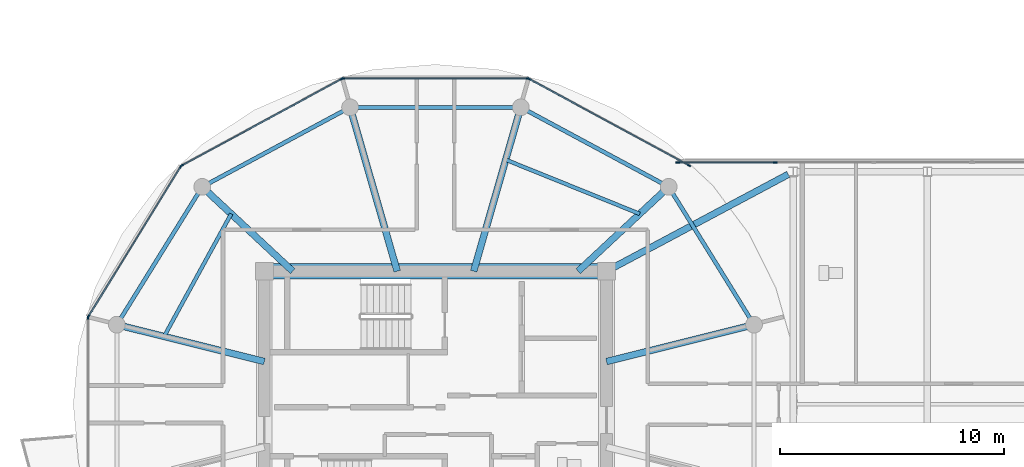
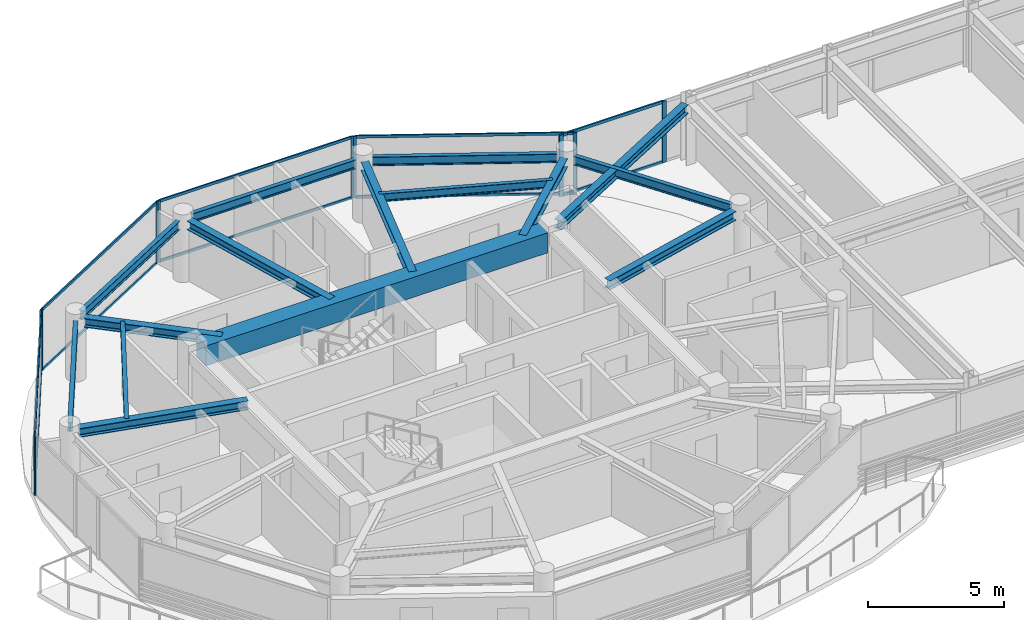
# One storey, part 5 of 24: 21 members, 15 beams, 6 elements without a shape of their own.
"""IFC4 building model written with IfcOpenShell, lengths in metres."""

from ifc_helpers import new_model, si_unit, direction, frame, origin, origin_2d, place, context, subcontext, project, spatial, rectangle, i_section, extrude, source, transform, mapped, material, layer, layer_set, material_profile, profile_set, type_object, type_shapes, element, aggregate, save


model = new_model("IFC4")

# Units and contexts
model_context = context("Model", 3, precision=1e-05, world=origin(), true_north=direction((0.0, 1.0)))
body_context = subcontext(model_context, "Body", "Model", "MODEL_VIEW")
ifc_project = project(units=[si_unit("LENGTHUNIT", "METRE"), si_unit("AREAUNIT", "SQUARE_METRE"), si_unit("VOLUMEUNIT", "CUBIC_METRE"), si_unit("PLANEANGLEUNIT", "RADIAN"), si_unit("MASSUNIT", "GRAM", prefix="KILO")], contexts=[model_context])

# Site, building, storey
site_placement = place(None, origin())
site = spatial("IfcSite", under=ifc_project, at=site_placement, CompositionType="ELEMENT")
building_placement = place(site_placement, origin())
building = spatial("IfcBuilding", under=site, at=building_placement, Name="Norrkilde Senior Care Towers", CompositionType="ELEMENT")
storey_placement = place(building_placement, frame((0.0, 0.0, 226.10009765625)))
storey = spatial("IfcBuildingStorey", under=building, at=storey_placement, Name="L70", CompositionType="ELEMENT", Elevation=226.10009765625)

# Beams
ifc_material_1 = material(Name="Concrete C60/75", Category="concrete")
ifc_material_profile_1 = material_profile(ifc_material_1, rectangle(XDim=0.699951171875, YDim=0.89990234375, at=origin_2d()), Name="RC BM 700x900")
ifc_profile_set_1 = profile_set([ifc_material_profile_1], Name="Concrete C60/75")
beam_type_1 = type_object("IfcBeamType", Name="Core Coupling Girder 700x900", PredefinedType="USERDEFINED", material=ifc_profile_set_1)
shared_shape_1 = source(origin(), body_context, "Body", "SweptSolid", [
    extrude(rectangle(XDim=0.699951171875, YDim=0.89990234375, at=origin_2d()), origin(), (0.0, 0.0, 1.0), 14.5400390625),
])
type_shapes(beam_type_1, [shared_shape_1])
beam_1_placement = place(storey_placement, frame((-35.27001953125, 5.949951171875, 2.309814453125), z_axis=(1.0, 0.0, 0.0), x_axis=(0.0, 1.0, 0.0)))
element("IfcBeam", 1, at=beam_1_placement, inside=storey, type_object=beam_type_1, Name="L70 Core W N Coupling Girder", ObjectType="GIRDER", PredefinedType="USERDEFINED", context=body_context, shape_type="MappedRepresentation", body=[
    mapped(shared_shape_1, transform((0.0, 0.0, 0.0), x_axis=(1.0, 0.0, 0.0), y_axis=(0.0, 1.0, 0.0), z_axis=(0.0, 0.0, 1.0), scale=1.0)),
])
ifc_material_2 = material(Name="Steel S355", Category="steel")
ifc_material_profile_2 = material_profile(ifc_material_2, i_section(OverallWidth=0.179931640625, OverallDepth=0.39990234375, WebThickness=0.008544921875, FlangeThickness=0.013427734375, FilletRadius=0.02099609375, at=origin_2d()), Name="IPE 400")
ifc_profile_set_2 = profile_set([ifc_material_profile_2], Name="Steel S355")
beam_type_2 = type_object("IfcBeamType", Name="Perimeter Ring Spandrel Z4 IPE400", PredefinedType="SPANDREL", material=ifc_profile_set_2)
shared_shape_2 = source(origin(), body_context, "Body", "SweptSolid", [
    extrude(i_section(OverallWidth=0.179931640625, OverallDepth=0.39990234375, WebThickness=0.008544921875, FlangeThickness=0.013427734375, FilletRadius=0.02099609375, at=origin_2d()), origin(), (0.0, 0.0, 1.0), 6.58056640625),
])
for number, where, z_axis, x_axis, name in (
    (2, (-13.928955078125, 3.843505859375, 2.559814453125), (-0.526529583789, 0.850156807533, 0.0), (-0.850156807533, -0.526529583789, 0.0), "L70 Drum W Perimeter Spandrel 01"),
    (3, (-38.606201171875, 9.43798828125, 2.559814453125), (-0.526529583789, -0.850156807533, 0.0), (0.850156807533, -0.526529583789, 0.0), "L70 Drum W Perimeter Spandrel 05"),
):
    element("IfcBeam", number, at=place(storey_placement, frame(where, z_axis=z_axis, x_axis=x_axis)), inside=storey, type_object=beam_type_2, Name=name, PredefinedType="SPANDREL", context=body_context, shape_type="MappedRepresentation", body=[
        mapped(shared_shape_2, transform((0.0, 0.0, 0.0), x_axis=(1.0, 0.0, 0.0), y_axis=(0.0, 1.0, 0.0), z_axis=(0.0, 0.0, 1.0), scale=1.0)),
    ])
ifc_material_profile_3 = material_profile(ifc_material_2, i_section(OverallWidth=0.300048828125, OverallDepth=0.39990234375, WebThickness=0.013427734375, FlangeThickness=0.02392578125, FilletRadius=0.027099609375, at=origin_2d()), Name="HEB 400")
ifc_profile_set_3 = profile_set([ifc_material_profile_3], Name="Steel S355")
beam_type_3 = type_object("IfcBeamType", Name="Radial Floor Beam Z4 HEB400", PredefinedType="BEAM", material=ifc_profile_set_3)
shared_shape_3 = source(origin(), body_context, "Body", "SweptSolid", [
    extrude(i_section(OverallWidth=0.300048828125, OverallDepth=0.39990234375, WebThickness=0.013427734375, FlangeThickness=0.02392578125, FilletRadius=0.027099609375, at=origin_2d()), origin(), (0.0, 0.0, 1.0), 6.465087890625),
])
for number, where, z_axis, x_axis, name in (
    (4, (-20.35009765625, 1.910888671875, 2.559814453125), (0.970195788563, 0.242322371758, 0.0), (-0.242322371758, 0.970195788563, 0.0), "L70 Drum W Radial Floor Beam 01"),
    (5, (-35.64990234375, 1.910888671875, 2.559814453125), (-0.970195788563, 0.242322371758, 0.0), (-0.242322371758, -0.970195788563, 0.0), "L70 Drum W Radial Floor Beam 06"),
):
    element("IfcBeam", number, at=place(storey_placement, frame(where, z_axis=z_axis, x_axis=x_axis)), inside=storey, type_object=beam_type_3, Name=name, PredefinedType="BEAM", context=body_context, shape_type="MappedRepresentation", body=[
        mapped(shared_shape_3, transform((0.0, 0.0, 0.0), x_axis=(1.0, 0.0, 0.0), y_axis=(0.0, 1.0, 0.0), z_axis=(0.0, 0.0, 1.0), scale=1.0)),
    ])
shared_shape_4 = source(origin(), body_context, "Body", "SweptSolid", [
    extrude(i_section(OverallWidth=0.179931640625, OverallDepth=0.39990234375, WebThickness=0.008544921875, FlangeThickness=0.013427734375, FilletRadius=0.02099609375, at=origin_2d()), origin(), (0.0, 0.0, 1.0), 6.839111328125),
])
for number, where, z_axis, x_axis, name in (
    (6, (-17.865234375, 9.881591796875, 2.559814453125), (-0.880563930732, 0.473927382511, 0.0), (-0.473927382511, -0.880563930732, 0.0), "L70 Drum W Perimeter Spandrel 02"),
    (7, (-32.112548828125, 13.122802734375, 2.559814453125), (-0.880563930732, -0.473927382511, 0.0), (0.473927382511, -0.880563930732, 0.0), "L70 Drum W Perimeter Spandrel 04"),
):
    element("IfcBeam", number, at=place(storey_placement, frame(where, z_axis=z_axis, x_axis=x_axis)), inside=storey, type_object=beam_type_2, Name=name, PredefinedType="SPANDREL", context=body_context, shape_type="MappedRepresentation", body=[
        mapped(shared_shape_4, transform((0.0, 0.0, 0.0), x_axis=(1.0, 0.0, 0.0), y_axis=(0.0, 1.0, 0.0), z_axis=(0.0, 0.0, 1.0), scale=1.0)),
    ])
shared_shape_5 = source(origin(), body_context, "Body", "SweptSolid", [
    extrude(i_section(OverallWidth=0.300048828125, OverallDepth=0.39990234375, WebThickness=0.013427734375, FlangeThickness=0.02392578125, FilletRadius=0.027099609375, at=origin_2d()), origin(), (0.0, 0.0, 1.0), 5.197998046875),
])
for number, where, z_axis, x_axis, name in (
    (8, (-21.6171875, 5.949951171875, 2.559814453125), (0.731448749334, 0.681896419625, 0.0), (-0.681896419625, 0.731448749334, 0.0), "L70 Drum W Radial Floor Beam 02"),
    (9, (-34.3828125, 5.949951171875, 2.559814453125), (-0.731448749334, 0.681896419625, 0.0), (-0.681896419625, -0.731448749334, 0.0), "L70 Drum W Radial Floor Beam 05"),
):
    element("IfcBeam", number, at=place(storey_placement, frame(where, z_axis=z_axis, x_axis=x_axis)), inside=storey, type_object=beam_type_3, Name=name, PredefinedType="BEAM", context=body_context, shape_type="MappedRepresentation", body=[
        mapped(shared_shape_5, transform((0.0, 0.0, 0.0), x_axis=(1.0, 0.0, 0.0), y_axis=(0.0, 1.0, 0.0), z_axis=(0.0, 0.0, 1.0), scale=1.0)),
    ])
shared_shape_6 = source(origin(), body_context, "Body", "SweptSolid", [
    extrude(i_section(OverallWidth=0.179931640625, OverallDepth=0.39990234375, WebThickness=0.008544921875, FlangeThickness=0.013427734375, FilletRadius=0.02099609375, at=origin_2d()), origin(), (0.0, 0.0, 1.0), 6.96533203125),
])
type_shapes(beam_type_2, [shared_shape_2, shared_shape_4, shared_shape_6])
beam_2_placement = place(storey_placement, frame((-24.517333984375, 13.281494140625, 2.559814453125), z_axis=(-1.0, 0.0, 0.0), x_axis=(0.0, -1.0, 0.0)))
element("IfcBeam", 10, at=beam_2_placement, inside=storey, type_object=beam_type_2, Name="L70 Drum W Perimeter Spandrel 03", PredefinedType="SPANDREL", context=body_context, shape_type="MappedRepresentation", body=[
    mapped(shared_shape_6, transform((0.0, 0.0, 0.0), x_axis=(1.0, 0.0, 0.0), y_axis=(0.0, 1.0, 0.0), z_axis=(0.0, 0.0, 1.0), scale=1.0)),
])
shared_shape_7 = source(origin(), body_context, "Body", "SweptSolid", [
    extrude(i_section(OverallWidth=0.300048828125, OverallDepth=0.39990234375, WebThickness=0.013427734375, FlangeThickness=0.02392578125, FilletRadius=0.027099609375, at=origin_2d()), origin(), (0.0, 0.0, 1.0), 7.29345703125),
])
for number, where, z_axis, x_axis, name in (
    (11, (-26.289794921875, 5.949951171875, 2.559814453125), (0.276263751906, 0.961081858836, 0.0), (-0.961081858836, 0.276263751906, 0.0), "L70 Drum W Radial Floor Beam 03"),
    (12, (-29.710205078125, 5.949951171875, 2.559814453125), (-0.276263751906, 0.961081858836, 0.0), (-0.961081858836, -0.276263751906, 0.0), "L70 Drum W Radial Floor Beam 04"),
):
    element("IfcBeam", number, at=place(storey_placement, frame(where, z_axis=z_axis, x_axis=x_axis)), inside=storey, type_object=beam_type_3, Name=name, PredefinedType="BEAM", context=body_context, shape_type="MappedRepresentation", body=[
        mapped(shared_shape_7, transform((0.0, 0.0, 0.0), x_axis=(1.0, 0.0, 0.0), y_axis=(0.0, 1.0, 0.0), z_axis=(0.0, 0.0, 1.0), scale=1.0)),
    ])
ifc_material_profile_4 = material_profile(ifc_material_2, i_section(OverallWidth=0.169921875, OverallDepth=0.360107421875, WebThickness=0.008056640625, FlangeThickness=0.0126953125, FilletRadius=0.01806640625, at=origin_2d()), Name="IPE 360")
ifc_profile_set_4 = profile_set([ifc_material_profile_4], Name="Steel S355")
beam_type_4 = type_object("IfcBeamType", Name="Secondary Floor Joist IPE360", PredefinedType="JOIST", material=ifc_profile_set_4)
shared_shape_8 = source(origin(), body_context, "Body", "SweptSolid", [
    extrude(i_section(OverallWidth=0.169921875, OverallDepth=0.360107421875, WebThickness=0.008056640625, FlangeThickness=0.0126953125, FilletRadius=0.01806640625, at=origin_2d()), origin(), (0.0, 0.0, 1.0), 6.461669921875),
])
beam_3_placement = place(storey_placement, frame((-18.865234375, 8.515380859375, 2.579833984375), z_axis=(-0.927225942298, 0.374502405772, 0.0), x_axis=(-0.374502405772, -0.927225942298, 0.0)))
element("IfcBeam", 13, at=beam_3_placement, inside=storey, type_object=beam_type_4, Name="L70 Drum W Secondary Floor Joist 1", PredefinedType="JOIST", context=body_context, shape_type="MappedRepresentation", body=[
    mapped(shared_shape_8, transform((0.0, 0.0, 0.0), x_axis=(1.0, 0.0, 0.0), y_axis=(0.0, 1.0, 0.0), z_axis=(0.0, 0.0, 1.0), scale=1.0)),
])
shared_shape_9 = source(origin(), body_context, "Body", "SweptSolid", [
    extrude(i_section(OverallWidth=0.169921875, OverallDepth=0.360107421875, WebThickness=0.008056640625, FlangeThickness=0.0126953125, FilletRadius=0.01806640625, at=origin_2d()), origin(), (0.0, 0.0, 1.0), 6.25146484375),
])
type_shapes(beam_type_4, [shared_shape_8, shared_shape_9])
beam_4_placement = place(storey_placement, frame((-37.134765625, 8.515380859375, 2.579833984375), z_axis=(-0.480115752653, -0.877205143655, 0.0), x_axis=(0.877205143655, -0.480115752653, 0.0)))
element("IfcBeam", 14, at=beam_4_placement, inside=storey, type_object=beam_type_4, Name="L70 Drum W Secondary Floor Joist 2", PredefinedType="JOIST", context=body_context, shape_type="MappedRepresentation", body=[
    mapped(shared_shape_9, transform((0.0, 0.0, 0.0), x_axis=(1.0, 0.0, 0.0), y_axis=(0.0, 1.0, 0.0), z_axis=(0.0, 0.0, 1.0), scale=1.0)),
])
shared_shape_10 = source(origin(), body_context, "Body", "SweptSolid", [
    extrude(i_section(OverallWidth=0.300048828125, OverallDepth=0.39990234375, WebThickness=0.013427734375, FlangeThickness=0.02392578125, FilletRadius=0.027099609375, at=origin_2d()), origin(), (0.0, 0.0, 1.0), 8.831787109375),
])
type_shapes(beam_type_3, [shared_shape_3, shared_shape_5, shared_shape_7, shared_shape_10])
beam_5_placement = place(storey_placement, frame((-20.0146484375, 6.128662109375, 2.559814453125), z_axis=(0.882492172381, 0.470327083727, 0.0), x_axis=(-0.470327083727, 0.882492172381, 0.0)))
element("IfcBeam", 15, at=beam_5_placement, inside=storey, type_object=beam_type_3, Name="L70 Sky-Gate Bridge Girder N1", PredefinedType="BEAM", context=body_context, shape_type="MappedRepresentation", body=[
    mapped(shared_shape_10, transform((0.0, 0.0, 0.0), x_axis=(1.0, 0.0, 0.0), y_axis=(0.0, 1.0, 0.0), z_axis=(0.0, 0.0, 1.0), scale=1.0)),
])

# Curtain wall, members
ifc_material_3 = material(Name="Triple Low-E Insulated Glazing", Category="glass")
ifc_layer_1 = layer(ifc_material_3, 0.18505859375)
ifc_layer_set_1 = layer_set([ifc_layer_1], Name="Triple Low-E Insulated Glazing")
curtain_wall_type_1 = type_object("IfcCurtainWallType", Name="CW6 Zone 4 Crown Pavilion Curtain Wall", PredefinedType="NOTDEFINED", material=ifc_layer_set_1)
curtain_wall_1_placement = place(storey_placement, origin())
curtain_wall_1 = element("IfcCurtainWall", 16, at=curtain_wall_1_placement, inside=storey, type_object=curtain_wall_type_1, Name="L70 Drum W Curtain Wall 04", PredefinedType="NOTDEFINED")
ifc_material_4 = material(Name="Anodised Aluminium", Category="aluminium")
ifc_material_profile_5 = material_profile(ifc_material_4, rectangle(XDim=0.06005859375, YDim=0.1201171875, at=origin_2d()), Name="ALU TRAN 60x120")
ifc_profile_set_5 = profile_set([ifc_material_profile_5], Name="Anodised Aluminium")
member_type_1 = type_object("IfcMemberType", Name="Curtain Wall Transom Typical 60x120", PredefinedType="USERDEFINED", material=ifc_profile_set_5)
shared_shape_11 = source(origin(), body_context, "Body", "SweptSolid", [
    extrude(rectangle(XDim=0.06005859375, YDim=0.1201171875, at=origin_2d()), origin(), (0.0, 0.0, 1.0), 7.808837890625),
])
member_1_placement = place(storey_placement, frame((-43.498046875, 3.958251953125, 0.02978515625), z_axis=(0.524250924101, 0.851563837055, 0.0), x_axis=(-0.851563837055, 0.524250924101, 0.0)))
member_1 = element("IfcMember", 17, at=member_1_placement, type_object=member_type_1, Name="CW-6 transom 1.1", ObjectType="TRANSOM", PredefinedType="USERDEFINED", context=body_context, shape_type="MappedRepresentation", body=[
    mapped(shared_shape_11, transform((0.0, 0.0, 0.0), x_axis=(1.0, 0.0, 0.0), y_axis=(0.0, 1.0, 0.0), z_axis=(0.0, 0.0, 1.0), scale=1.0)),
])
member_2_placement = place(storey_placement, frame((-43.498046875, 3.958251953125, 2.72998046875), z_axis=(0.524250924101, 0.851563837055, 0.0), x_axis=(-0.851563837055, 0.524250924101, 0.0)))
member_2 = element("IfcMember", 18, at=member_2_placement, type_object=member_type_1, Name="CW-6 transom 1.2", ObjectType="TRANSOM", PredefinedType="USERDEFINED", context=body_context, shape_type="MappedRepresentation", body=[
    mapped(shared_shape_11, transform((0.0, 0.0, 0.0), x_axis=(1.0, 0.0, 0.0), y_axis=(0.0, 1.0, 0.0), z_axis=(0.0, 0.0, 1.0), scale=1.0)),
])

curtain_wall_2_placement = place(storey_placement, origin())
curtain_wall_2 = element("IfcCurtainWall", 19, at=curtain_wall_2_placement, inside=storey, type_object=curtain_wall_type_1, Name="L70 Drum W Curtain Wall 02", PredefinedType="NOTDEFINED")
shared_shape_12 = source(origin(), body_context, "Body", "SweptSolid", [
    extrude(rectangle(XDim=0.06005859375, YDim=0.1201171875, at=origin_2d()), origin(), (0.0, 0.0, 1.0), 8.19384765625),
])
member_3_placement = place(storey_placement, frame((-32.096923828125, 14.566162109375, 0.02978515625), z_axis=(1.0, 0.0, 0.0), x_axis=(0.0, 1.0, 0.0)))
member_3 = element("IfcMember", 20, at=member_3_placement, type_object=member_type_1, Name="CW-6 transom 1.1", ObjectType="TRANSOM", PredefinedType="USERDEFINED", context=body_context, shape_type="MappedRepresentation", body=[
    mapped(shared_shape_12, transform((0.0, 0.0, 0.0), x_axis=(1.0, 0.0, 0.0), y_axis=(0.0, 1.0, 0.0), z_axis=(0.0, 0.0, 1.0), scale=1.0)),
])
member_4_placement = place(storey_placement, frame((-32.096923828125, 14.566162109375, 2.72998046875), z_axis=(1.0, 0.0, 0.0), x_axis=(0.0, 1.0, 0.0)))
member_4 = element("IfcMember", 21, at=member_4_placement, type_object=member_type_1, Name="CW-6 transom 1.2", ObjectType="TRANSOM", PredefinedType="USERDEFINED", context=body_context, shape_type="MappedRepresentation", body=[
    mapped(shared_shape_12, transform((0.0, 0.0, 0.0), x_axis=(1.0, 0.0, 0.0), y_axis=(0.0, 1.0, 0.0), z_axis=(0.0, 0.0, 1.0), scale=1.0)),
])

curtain_wall_3_placement = place(storey_placement, origin())
curtain_wall_3 = element("IfcCurtainWall", 22, at=curtain_wall_3_placement, inside=storey, type_object=curtain_wall_type_1, Name="L70 Drum W Curtain Wall 01", PredefinedType="NOTDEFINED")
shared_shape_13 = source(origin(), body_context, "Body", "SweptSolid", [
    extrude(rectangle(XDim=0.06005859375, YDim=0.1201171875, at=origin_2d()), origin(), (0.0, 0.0, 1.0), 8.0673828125),
])
type_shapes(member_type_1, [shared_shape_11, shared_shape_12, shared_shape_13])
member_5_placement = place(storey_placement, frame((-23.781005859375, 14.53515625, 0.02978515625), z_axis=(0.87937750072, -0.476125205411, 0.0), x_axis=(0.476125205411, 0.87937750072, 0.0)))
member_5 = element("IfcMember", 23, at=member_5_placement, type_object=member_type_1, Name="CW-6 transom 1.1", ObjectType="TRANSOM", PredefinedType="USERDEFINED", context=body_context, shape_type="MappedRepresentation", body=[
    mapped(shared_shape_13, transform((0.0, 0.0, 0.0), x_axis=(1.0, 0.0, 0.0), y_axis=(0.0, 1.0, 0.0), z_axis=(0.0, 0.0, 1.0), scale=1.0)),
])
member_6_placement = place(storey_placement, frame((-23.781005859375, 14.53515625, 2.72998046875), z_axis=(0.87937750072, -0.476125205411, 0.0), x_axis=(0.476125205411, 0.87937750072, 0.0)))
member_6 = element("IfcMember", 24, at=member_6_placement, type_object=member_type_1, Name="CW-6 transom 1.2", ObjectType="TRANSOM", PredefinedType="USERDEFINED", context=body_context, shape_type="MappedRepresentation", body=[
    mapped(shared_shape_13, transform((0.0, 0.0, 0.0), x_axis=(1.0, 0.0, 0.0), y_axis=(0.0, 1.0, 0.0), z_axis=(0.0, 0.0, 1.0), scale=1.0)),
])

curtain_wall_4_placement = place(storey_placement, origin())
curtain_wall_4 = element("IfcCurtainWall", 25, at=curtain_wall_4_placement, inside=storey, type_object=curtain_wall_type_1, Name="L70 Drum W Curtain Wall 03", PredefinedType="NOTDEFINED")
member_7_placement = place(storey_placement, frame((-39.313232421875, 10.694091796875, 0.02978515625), z_axis=(0.87937750072, 0.476125205411, 0.0), x_axis=(-0.476125205411, 0.87937750072, 0.0)))
member_7 = element("IfcMember", 26, at=member_7_placement, type_object=member_type_1, Name="CW-6 transom 1.1", ObjectType="TRANSOM", PredefinedType="USERDEFINED", context=body_context, shape_type="MappedRepresentation", body=[
    mapped(shared_shape_13, transform((0.0, 0.0, 0.0), x_axis=(1.0, 0.0, 0.0), y_axis=(0.0, 1.0, 0.0), z_axis=(0.0, 0.0, 1.0), scale=1.0)),
])
member_8_placement = place(storey_placement, frame((-39.313232421875, 10.694091796875, 2.72998046875), z_axis=(0.87937750072, 0.476125205411, 0.0), x_axis=(-0.476125205411, 0.87937750072, 0.0)))
member_8 = element("IfcMember", 27, at=member_8_placement, type_object=member_type_1, Name="CW-6 transom 1.2", ObjectType="TRANSOM", PredefinedType="USERDEFINED", context=body_context, shape_type="MappedRepresentation", body=[
    mapped(shared_shape_13, transform((0.0, 0.0, 0.0), x_axis=(1.0, 0.0, 0.0), y_axis=(0.0, 1.0, 0.0), z_axis=(0.0, 0.0, 1.0), scale=1.0)),
])

# Member
ifc_material_profile_6 = material_profile(ifc_material_4, rectangle(XDim=0.06494140625, YDim=0.14990234375, at=origin_2d()), Name="ALU MULL 65x150")
ifc_profile_set_6 = profile_set([ifc_material_profile_6], Name="Anodised Aluminium")
member_type_2 = type_object("IfcMemberType", Name="Curtain Wall Mullion Z3-Z4 65x150", PredefinedType="MULLION", material=ifc_profile_set_6)
shared_shape_14 = source(origin(), body_context, "Body", "SweptSolid", [
    extrude(rectangle(XDim=0.06494140625, YDim=0.14990234375, at=origin_2d()), origin(), (0.0, 0.0, 1.0), 2.760009765625),
])
type_shapes(member_type_2, [shared_shape_14])
member_9_placement = place(storey_placement, frame((-23.8095703125, 14.55078125, 0.0), z_axis=(0.0, 0.0, 1.0), x_axis=(0.476132676136, 0.879373455772, 0.0)))
member_9 = element("IfcMember", 28, at=member_9_placement, type_object=member_type_2, Name="CW-6 mullion 1", PredefinedType="MULLION", context=body_context, shape_type="MappedRepresentation", body=[
    mapped(shared_shape_14, transform((0.0, 0.0, 0.0), x_axis=(1.0, 0.0, 0.0), y_axis=(0.0, 1.0, 0.0), z_axis=(0.0, 0.0, 1.0), scale=1.0)),
])

member_10_placement = place(storey_placement, frame((-16.658203125, 10.6787109375, 0.0), z_axis=(0.0, 0.0, 1.0), x_axis=(0.476132676136, 0.879373455772, 0.0)))
member_10 = element("IfcMember", 29, at=member_10_placement, type_object=member_type_2, Name="CW-6 mullion 2", PredefinedType="MULLION", context=body_context, shape_type="MappedRepresentation", body=[
    mapped(shared_shape_14, transform((0.0, 0.0, 0.0), x_axis=(1.0, 0.0, 0.0), y_axis=(0.0, 1.0, 0.0), z_axis=(0.0, 0.0, 1.0), scale=1.0)),
])

aggregate(curtain_wall_3, [member_9, member_10, member_5, member_6])

member_11_placement = place(storey_placement, frame((-32.12939453125, 14.566162109375, 0.0), z_axis=(0.0, 0.0, 1.0), x_axis=(0.0, 1.0, 0.0)))
member_11 = element("IfcMember", 30, at=member_11_placement, type_object=member_type_2, Name="CW-6 mullion 1", PredefinedType="MULLION", context=body_context, shape_type="MappedRepresentation", body=[
    mapped(shared_shape_14, transform((0.0, 0.0, 0.0), x_axis=(1.0, 0.0, 0.0), y_axis=(0.0, 1.0, 0.0), z_axis=(0.0, 0.0, 1.0), scale=1.0)),
])

member_12_placement = place(storey_placement, frame((-23.87060546875, 14.566162109375, 0.0), z_axis=(0.0, 0.0, 1.0), x_axis=(0.0, 1.0, 0.0)))
member_12 = element("IfcMember", 31, at=member_12_placement, type_object=member_type_2, Name="CW-6 mullion 2", PredefinedType="MULLION", context=body_context, shape_type="MappedRepresentation", body=[
    mapped(shared_shape_14, transform((0.0, 0.0, 0.0), x_axis=(1.0, 0.0, 0.0), y_axis=(0.0, 1.0, 0.0), z_axis=(0.0, 0.0, 1.0), scale=1.0)),
])

aggregate(curtain_wall_2, [member_11, member_12, member_3, member_4])

member_13_placement = place(storey_placement, frame((-39.341796875, 10.6787109375, 0.0), z_axis=(0.0, 0.0, 1.0), x_axis=(-0.476132676136, 0.879373455772, 0.0)))
member_13 = element("IfcMember", 32, at=member_13_placement, type_object=member_type_2, Name="CW-6 mullion 1", PredefinedType="MULLION", context=body_context, shape_type="MappedRepresentation", body=[
    mapped(shared_shape_14, transform((0.0, 0.0, 0.0), x_axis=(1.0, 0.0, 0.0), y_axis=(0.0, 1.0, 0.0), z_axis=(0.0, 0.0, 1.0), scale=1.0)),
])

member_14_placement = place(storey_placement, frame((-32.1904296875, 14.55078125, 0.0), z_axis=(0.0, 0.0, 1.0), x_axis=(-0.476132676136, 0.879373455772, 0.0)))
member_14 = element("IfcMember", 33, at=member_14_placement, type_object=member_type_2, Name="CW-6 mullion 2", PredefinedType="MULLION", context=body_context, shape_type="MappedRepresentation", body=[
    mapped(shared_shape_14, transform((0.0, 0.0, 0.0), x_axis=(1.0, 0.0, 0.0), y_axis=(0.0, 1.0, 0.0), z_axis=(0.0, 0.0, 1.0), scale=1.0)),
])

aggregate(curtain_wall_4, [member_13, member_14, member_7, member_8])

member_15_placement = place(storey_placement, frame((-43.51513671875, 3.9306640625, 0.0), z_axis=(0.0, 0.0, 1.0), x_axis=(-0.851562727283, 0.524252726748, 0.0)))
member_15 = element("IfcMember", 34, at=member_15_placement, type_object=member_type_2, Name="CW-6 mullion 1", PredefinedType="MULLION", context=body_context, shape_type="MappedRepresentation", body=[
    mapped(shared_shape_14, transform((0.0, 0.0, 0.0), x_axis=(1.0, 0.0, 0.0), y_axis=(0.0, 1.0, 0.0), z_axis=(0.0, 0.0, 1.0), scale=1.0)),
])

member_16_placement = place(storey_placement, frame((-39.38720703125, 10.635498046875, 0.0), z_axis=(0.0, 0.0, 1.0), x_axis=(-0.851562727283, 0.524252726748, 0.0)))
member_16 = element("IfcMember", 35, at=member_16_placement, type_object=member_type_2, Name="CW-6 mullion 2", PredefinedType="MULLION", context=body_context, shape_type="MappedRepresentation", body=[
    mapped(shared_shape_14, transform((0.0, 0.0, 0.0), x_axis=(1.0, 0.0, 0.0), y_axis=(0.0, 1.0, 0.0), z_axis=(0.0, 0.0, 1.0), scale=1.0)),
])

aggregate(curtain_wall_1, [member_15, member_16, member_1, member_2])

# Curtain wall, member
curtain_wall_5_placement = place(storey_placement, origin())
curtain_wall_5 = element("IfcCurtainWall", 36, at=curtain_wall_5_placement, inside=storey, type_object=curtain_wall_type_1, Name="L70 Drum W Curtain Wall 05", PredefinedType="NOTDEFINED")
member_17_placement = place(storey_placement, frame((-43.531982421875, 3.87060546875, 0.0), z_axis=(0.0, 0.0, 1.0), x_axis=(-1.0, 0.0, 0.0)))
member_17 = element("IfcMember", 37, at=member_17_placement, type_object=member_type_2, Name="CW-6 mullion 2", PredefinedType="MULLION", context=body_context, shape_type="MappedRepresentation", body=[
    mapped(shared_shape_14, transform((0.0, 0.0, 0.0), x_axis=(1.0, 0.0, 0.0), y_axis=(0.0, 1.0, 0.0), z_axis=(0.0, 0.0, 1.0), scale=1.0)),
])
aggregate(curtain_wall_5, [member_17])

# Curtain wall, members
ifc_layer_2 = layer(ifc_material_3, 0.2099609375)
ifc_layer_set_2 = layer_set([ifc_layer_2], Name="Triple Low-E Insulated Glazing")
curtain_wall_type_2 = type_object("IfcCurtainWallType", Name="CW5 Sky-Gate Bridge Curtain Wall", PredefinedType="NOTDEFINED", material=ifc_layer_set_2)
curtain_wall_6_placement = place(storey_placement, origin())
curtain_wall_6 = element("IfcCurtainWall", 38, at=curtain_wall_6_placement, inside=storey, type_object=curtain_wall_type_2, Name="L70 Sky-Gate Bridge North Curtain Wall 1", PredefinedType="NOTDEFINED")
ifc_material_profile_7 = material_profile(ifc_material_4, rectangle(XDim=0.06494140625, YDim=0.1298828125, at=origin_2d()), Name="ALU TRAN 65x130")
ifc_profile_set_7 = profile_set([ifc_material_profile_7], Name="Anodised Aluminium")
member_type_3 = type_object("IfcMemberType", Name="Curtain Wall Transom Heavy 65x130", PredefinedType="USERDEFINED", material=ifc_profile_set_7)
shared_shape_15 = source(origin(), body_context, "Body", "SweptSolid", [
    extrude(rectangle(XDim=0.06494140625, YDim=0.1298828125, at=origin_2d()), origin(), (0.0, 0.0, 1.0), 4.294921875),
])
type_shapes(member_type_3, [shared_shape_15])
member_18_placement = place(storey_placement, frame((-17.1298828125, 10.820068359375, 0.032470703125), z_axis=(1.0, 0.0, 0.0), x_axis=(0.0, 1.0, 0.0)))
member_18 = element("IfcMember", 39, at=member_18_placement, type_object=member_type_3, Name="CW-5 transom 1.1", ObjectType="TRANSOM", PredefinedType="USERDEFINED", context=body_context, shape_type="MappedRepresentation", body=[
    mapped(shared_shape_15, transform((0.0, 0.0, 0.0), x_axis=(1.0, 0.0, 0.0), y_axis=(0.0, 1.0, 0.0), z_axis=(0.0, 0.0, 1.0), scale=1.0)),
])
member_19_placement = place(storey_placement, frame((-17.1298828125, 10.820068359375, 2.727294921875), z_axis=(1.0, 0.0, 0.0), x_axis=(0.0, 1.0, 0.0)))
member_19 = element("IfcMember", 40, at=member_19_placement, type_object=member_type_3, Name="CW-5 transom 1.2", ObjectType="TRANSOM", PredefinedType="USERDEFINED", context=body_context, shape_type="MappedRepresentation", body=[
    mapped(shared_shape_15, transform((0.0, 0.0, 0.0), x_axis=(1.0, 0.0, 0.0), y_axis=(0.0, 1.0, 0.0), z_axis=(0.0, 0.0, 1.0), scale=1.0)),
])
ifc_material_profile_8 = material_profile(ifc_material_4, rectangle(XDim=0.070068359375, YDim=0.169921875, at=origin_2d()), Name="ALU MULL 70x170")
ifc_profile_set_8 = profile_set([ifc_material_profile_8], Name="Anodised Aluminium")
member_type_4 = type_object("IfcMemberType", Name="Curtain Wall Mullion Heavy 70x170", PredefinedType="MULLION", material=ifc_profile_set_8)
shared_shape_16 = source(origin(), body_context, "Body", "SweptSolid", [
    extrude(rectangle(XDim=0.070068359375, YDim=0.169921875, at=origin_2d()), origin(), (0.0, 0.0, 1.0), 2.760009765625),
])
type_shapes(member_type_4, [shared_shape_16])
member_20_placement = place(storey_placement, frame((-17.1650390625, 10.820068359375, 0.0), z_axis=(0.0, 0.0, 1.0), x_axis=(0.0, 1.0, 0.0)))
member_20 = element("IfcMember", 41, at=member_20_placement, type_object=member_type_4, Name="CW-5 mullion 1", PredefinedType="MULLION", context=body_context, shape_type="MappedRepresentation", body=[
    mapped(shared_shape_16, transform((0.0, 0.0, 0.0), x_axis=(1.0, 0.0, 0.0), y_axis=(0.0, 1.0, 0.0), z_axis=(0.0, 0.0, 1.0), scale=1.0)),
])
member_21_placement = place(storey_placement, frame((-12.800048828125, 10.820068359375, 0.0), z_axis=(0.0, 0.0, 1.0), x_axis=(0.0, 1.0, 0.0)))
member_21 = element("IfcMember", 42, at=member_21_placement, type_object=member_type_4, Name="CW-5 mullion 2", PredefinedType="MULLION", context=body_context, shape_type="MappedRepresentation", body=[
    mapped(shared_shape_16, transform((0.0, 0.0, 0.0), x_axis=(1.0, 0.0, 0.0), y_axis=(0.0, 1.0, 0.0), z_axis=(0.0, 0.0, 1.0), scale=1.0)),
])
aggregate(curtain_wall_6, [member_20, member_21, member_18, member_19])

save(model, "model.ifc")
